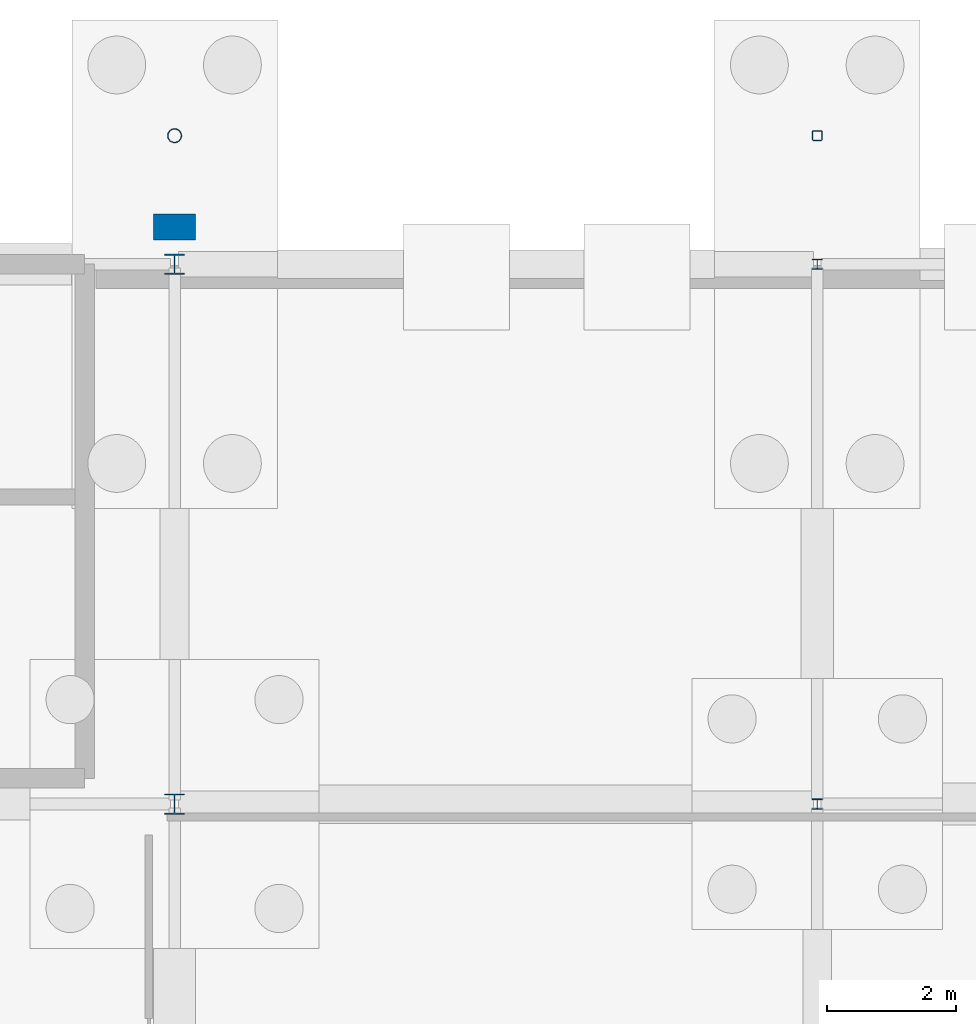
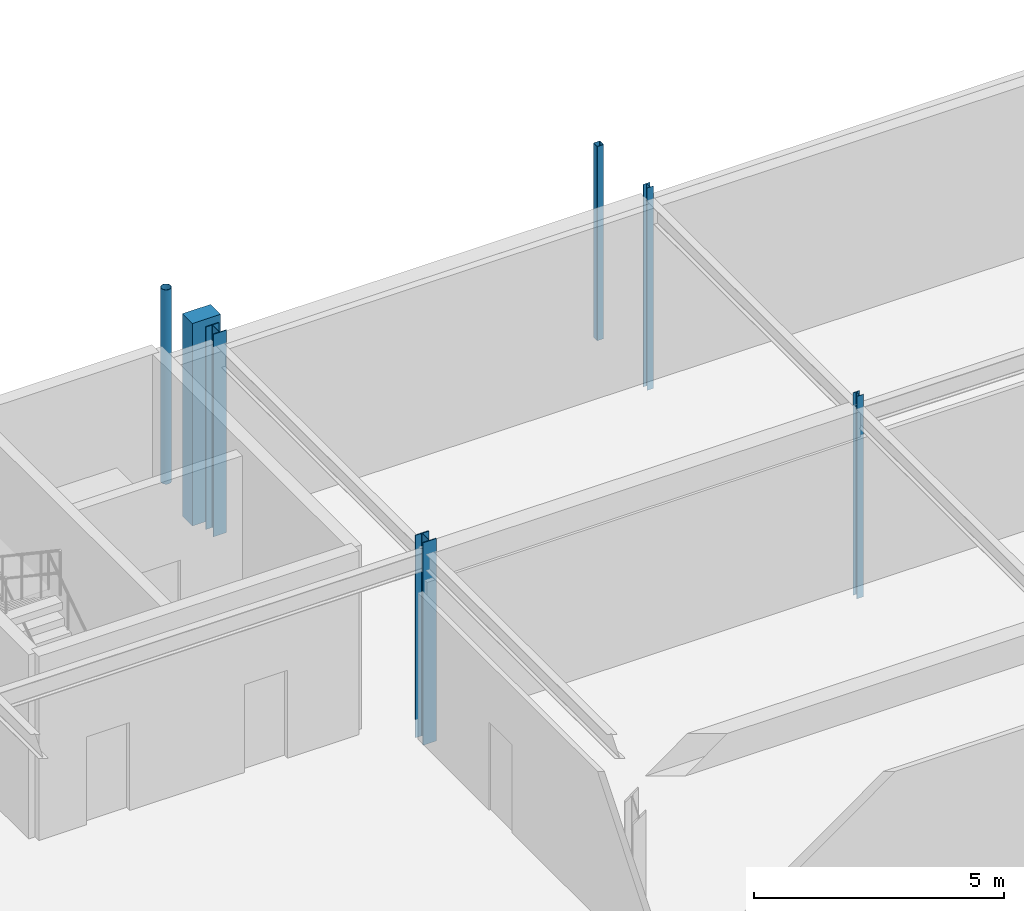
# One storey, part 38 of 75: 7 columns.
"""IFC4 building model written with IfcOpenShell, lengths in metres."""

from ifc_helpers import new_model, si_unit, derived_unit, direction, frame, origin, origin_2d_with_axis, place, context, subcontext, project, spatial, rectangle, hollow_rectangle, hollow_circle, i_section, extrude, material, material_profile, profile_set, type_object, element, save


model = new_model("IFC4")

# Units and contexts
model_context = context("Model", 3, precision=1e-05, world=origin(), true_north=direction((0.0, 1.0)))
body_context = subcontext(model_context, "Body", "Model", "MODEL_VIEW")
ifc_project = project(units=[si_unit("LENGTHUNIT", "METRE"), si_unit("AREAUNIT", "SQUARE_METRE"), si_unit("VOLUMEUNIT", "CUBIC_METRE"), si_unit("PLANEANGLEUNIT", "RADIAN"), si_unit("MASSUNIT", "GRAM", prefix="KILO"), derived_unit("THERMALTRANSMITTANCEUNIT", [(si_unit("POWERUNIT", "WATT"), 1), (si_unit("LENGTHUNIT", "METRE"), -2), (si_unit("THERMODYNAMICTEMPERATUREUNIT", "KELVIN"), -1)])], contexts=[model_context])

# Site, building, storey
site_placement = place(None, origin())
site = spatial("IfcSite", under=ifc_project, at=site_placement, CompositionType="ELEMENT")
building_placement = place(site_placement, origin())
building = spatial("IfcBuilding", under=site, at=building_placement, Name="Cinnabar Yard Market Hall", CompositionType="ELEMENT")
storey_placement = place(building_placement, frame((0.0, 0.0, -4.5)))
storey = spatial("IfcBuildingStorey", under=building, at=storey_placement, Name="B1", CompositionType="ELEMENT", Elevation=-4.5)

# Columns
ifc_material_1 = material(Name="Spotted-gum glulam-clad steel Grade 350 (350 MPa)", Category="steel")
ifc_material_profile_1 = material_profile(ifc_material_1, hollow_circle(Radius=0.109619140625, WallThickness=0.00830078125, at=origin_2d_with_axis()), Name="219.1x8.2CHS")
ifc_profile_set_1 = profile_set([ifc_material_profile_1], Name="Spotted-gum glulam-clad steel Grade 350 (350 MPa)")
column_type_1 = type_object("IfcColumnType", Name="COL-C05", PredefinedType="COLUMN", material=ifc_profile_set_1)
column_1_placement = place(storey_placement, frame((106.0, 140.0, -0.449951171875), z_axis=(0.0, 0.0, 1.0), x_axis=(1.0, 0.0, 0.0)))
element("IfcColumn", 1, at=column_1_placement, inside=storey, type_object=column_type_1, Name="Passage Pier V5C-1 B1", PredefinedType="COLUMN", context=body_context, shape_type="SweptSolid", body=[
    extrude(hollow_circle(Radius=0.109619140625, WallThickness=0.00830078125, at=origin_2d_with_axis()), origin(), (0.0, 0.0, 1.0), 4.75),
])
ifc_material_2 = material(Name="Steel Grade 350 (350 MPa)", Category="steel")
ifc_material_profile_2 = material_profile(ifc_material_2, i_section(OverallWidth=0.30908203125, OverallDepth=0.320556640625, WebThickness=0.013916015625, FlangeThickness=0.021728515625, FilletRadius=0.0166015625, at=origin_2d_with_axis()), Name="310UC137")
ifc_profile_set_2 = profile_set([ifc_material_profile_2], Name="Steel Grade 350 (350 MPa)")
column_type_2 = type_object("IfcColumnType", Name="COL-C07", PredefinedType="COLUMN", material=ifc_profile_set_2)
column_2_placement = place(storey_placement, frame((106.0, 129.60009765625, -0.449951171875), z_axis=(0.0, 0.0, 1.0), x_axis=(1.0, 0.0, 0.0)))
element("IfcColumn", 2, at=column_2_placement, inside=storey, type_object=column_type_2, Name="Wing Column V3-05-04 B1", PredefinedType="COLUMN", context=body_context, shape_type="SweptSolid", body=[
    extrude(i_section(OverallWidth=0.30908203125, OverallDepth=0.320556640625, WebThickness=0.013916015625, FlangeThickness=0.021728515625, FilletRadius=0.0166015625, at=origin_2d_with_axis()), origin(), (0.0, 0.0, 1.0), 4.949951171875),
])
ifc_material_3 = material(Name="Steel Grade 300 (300 MPa)", Category="steel")
ifc_material_profile_3 = material_profile(ifc_material_3, i_section(OverallWidth=0.307373046875, OverallDepth=0.314697265625, WebThickness=0.011962890625, FlangeThickness=0.018798828125, FilletRadius=0.0166015625, at=origin_2d_with_axis()), Name="310UC118")
ifc_profile_set_3 = profile_set([ifc_material_profile_3], Name="Steel Grade 300 (300 MPa)")
column_type_3 = type_object("IfcColumnType", Name="COL-C08", PredefinedType="COLUMN", material=ifc_profile_set_3)
column_3_placement = place(storey_placement, frame((106.0, 138.0, -0.449951171875), z_axis=(0.0, 0.0, 1.0), x_axis=(1.0, 0.0, 0.0)))
element("IfcColumn", 3, at=column_3_placement, inside=storey, type_object=column_type_3, Name="Wing Column V3-05-05 B1", PredefinedType="COLUMN", context=body_context, shape_type="SweptSolid", body=[
    extrude(i_section(OverallWidth=0.307373046875, OverallDepth=0.314697265625, WebThickness=0.011962890625, FlangeThickness=0.018798828125, FilletRadius=0.0166015625, at=origin_2d_with_axis()), origin(), (0.0, 0.0, 1.0), 4.949951171875),
])
ifc_material_4 = material(Name="Cold-formed steel C350L0", Category="steel")
ifc_material_profile_4 = material_profile(ifc_material_4, hollow_rectangle(XDim=0.14990234375, YDim=0.14990234375, WallThickness=0.006103515625, InnerFilletRadius=0.006103515625, OuterFilletRadius=0.011962890625, at=origin_2d_with_axis()), Name="150x150x6.0SHS")
ifc_profile_set_4 = profile_set([ifc_material_profile_4], Name="Cold-formed steel C350L0")
column_type_4 = type_object("IfcColumnType", Name="COL-C16", PredefinedType="COLUMN", material=ifc_profile_set_4)
column_4_placement = place(storey_placement, frame((116.0, 140.0, -0.449951171875), z_axis=(0.0, 0.0, 1.0), x_axis=(1.0, 0.0, 0.0)))
element("IfcColumn", 4, at=column_4_placement, inside=storey, type_object=column_type_4, Name="Passage Pier V5C-2 B1", PredefinedType="COLUMN", context=body_context, shape_type="SweptSolid", body=[
    extrude(hollow_rectangle(XDim=0.14990234375, YDim=0.14990234375, WallThickness=0.006103515625, InnerFilletRadius=0.006103515625, OuterFilletRadius=0.011962890625, at=origin_2d_with_axis()), origin(), (0.0, 0.0, 1.0), 4.75),
])
ifc_material_profile_5 = material_profile(ifc_material_3, i_section(OverallWidth=0.15283203125, OverallDepth=0.15771484375, WebThickness=0.006591796875, FlangeThickness=0.009521484375, FilletRadius=0.0087890625, at=origin_2d_with_axis()), Name="150UC30.0")
ifc_profile_set_5 = profile_set([ifc_material_profile_5], Name="Steel Grade 300 (300 MPa)")
column_type_5 = type_object("IfcColumnType", Name="COL-C18", PredefinedType="COLUMN", material=ifc_profile_set_5)
column_5_placement = place(storey_placement, frame((116.0, 129.60009765625, -0.449951171875), z_axis=(0.0, 0.0, 1.0), x_axis=(1.0, 0.0, 0.0)))
element("IfcColumn", 5, at=column_5_placement, inside=storey, type_object=column_type_5, Name="Wing Column V3-06-04 B1", PredefinedType="COLUMN", context=body_context, shape_type="SweptSolid", body=[
    extrude(i_section(OverallWidth=0.15283203125, OverallDepth=0.15771484375, WebThickness=0.006591796875, FlangeThickness=0.009521484375, FilletRadius=0.0087890625, at=origin_2d_with_axis()), origin(), (0.0, 0.0, 1.0), 4.949951171875),
])
ifc_material_profile_6 = material_profile(ifc_material_3, i_section(OverallWidth=0.152099609375, OverallDepth=0.15234375, WebThickness=0.005859375, FlangeThickness=0.0068359375, FilletRadius=0.0087890625, at=origin_2d_with_axis()), Name="150UC23.4")
ifc_profile_set_6 = profile_set([ifc_material_profile_6], Name="Steel Grade 300 (300 MPa)")
column_type_6 = type_object("IfcColumnType", Name="COL-C19", PredefinedType="COLUMN", material=ifc_profile_set_6)
column_6_placement = place(storey_placement, frame((116.0, 138.0, -0.449951171875), z_axis=(0.0, 0.0, 1.0), x_axis=(1.0, 0.0, 0.0)))
element("IfcColumn", 6, at=column_6_placement, inside=storey, type_object=column_type_6, Name="Wing Column V3-06-05 B1", PredefinedType="COLUMN", context=body_context, shape_type="SweptSolid", body=[
    extrude(i_section(OverallWidth=0.152099609375, OverallDepth=0.15234375, WebThickness=0.005859375, FlangeThickness=0.0068359375, FilletRadius=0.0087890625, at=origin_2d_with_axis()), origin(), (0.0, 0.0, 1.0), 4.949951171875),
])
ifc_material_5 = material(Name="Concrete 40 MPa", Category="concrete")
ifc_material_profile_7 = material_profile(ifc_material_5, rectangle(XDim=0.64990234375, YDim=0.39990234375, at=origin_2d_with_axis()), Name="RC-650x400")
ifc_profile_set_7 = profile_set([ifc_material_profile_7], Name="Concrete 40 MPa")
column_type_7 = type_object("IfcColumnType", Name="COL-PIL2", PredefinedType="PILASTER", material=ifc_profile_set_7)
column_7_placement = place(storey_placement, frame((106.0, 138.580078125, -0.449951171875), z_axis=(0.0, 0.0, 1.0), x_axis=(1.0, 0.0, 0.0)))
element("IfcColumn", 7, at=column_7_placement, inside=storey, type_object=column_type_7, Name="Pilaster Pier 09", PredefinedType="PILASTER", context=body_context, shape_type="SweptSolid", body=[
    extrude(rectangle(XDim=0.64990234375, YDim=0.39990234375, at=origin_2d_with_axis()), origin(), (0.0, 0.0, 1.0), 4.949951171875),
])

save(model, "model.ifc")
